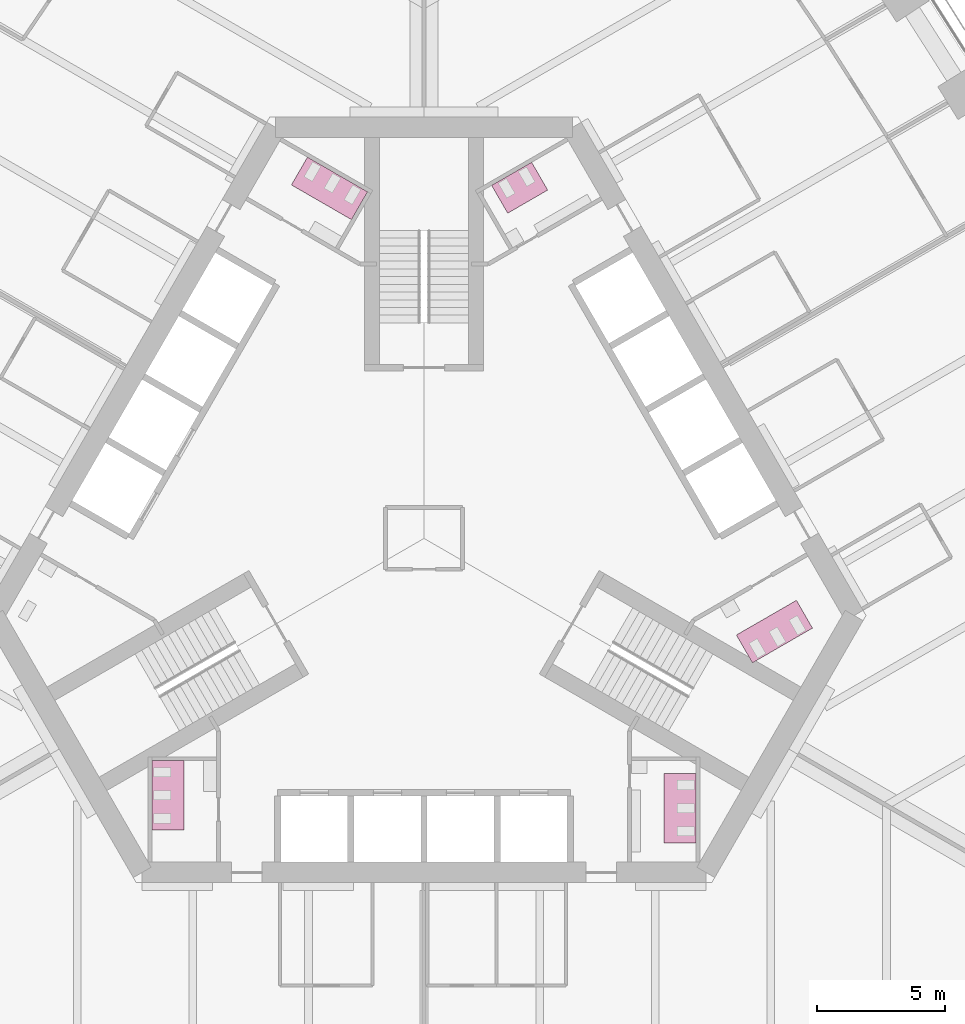
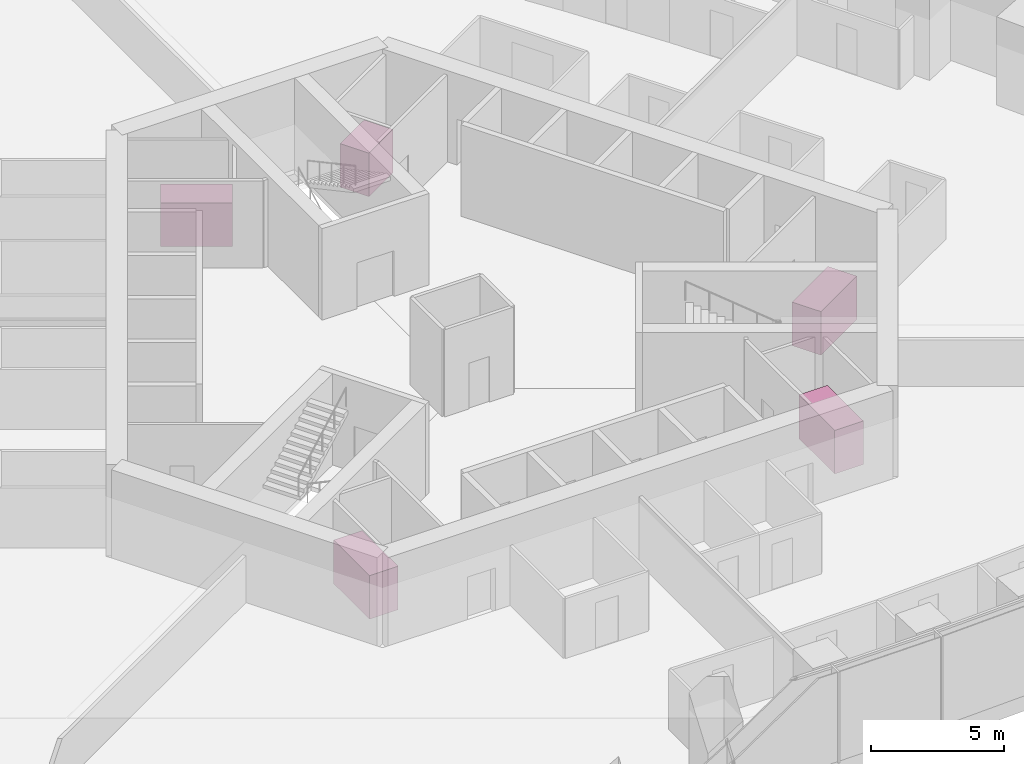
# One storey, part 18 of 18: 5 furniture elements.
"""IFC4 building model written with IfcOpenShell, lengths in metres."""

import ifcopenshell
import ifcopenshell.guid

model = None  # the IFC model being written
_history = None  # IfcOwnerHistory: only IFC2X3 demands one
_inside = {}  # id of a spatial element -> (the spatial element, [elements in it])
_under = {}  # id of a project, library or spatial element -> (it, [spatial elements below it])
_declared = {}  # id of a project -> (the project, [libraries it declares])
_typed = {}  # id of a type object -> (the type object, [elements of that type])
_made_of = {}  # id of a material, layer set ... -> (it, [elements and type objects made of it])


def new_model(schema):
    """Start an empty IFC model of exactly this schema.

    Asked for "IFC4X3", IfcOpenShell would pick the latest addendum, in which some entities
    have other attributes; the version numbers below select the first issue.
    IFC2X3 requires an IfcOwnerHistory on every rooted entity: one is made here for all.
    """
    global model, _history
    if schema == "IFC4X3":
        model = ifcopenshell.file(schema_version=(4, 3, 0, 0))
    else:
        model = ifcopenshell.file(schema=schema)
    _inside.clear()
    _under.clear()
    _declared.clear()
    _typed.clear()
    _made_of.clear()
    _history = None
    if model.schema == "IFC2X3":
        org = make("IfcOrganization", Name="unknown")
        user = make(
            "IfcPersonAndOrganization",
            ThePerson=make("IfcPerson", FamilyName="unknown"),
            TheOrganization=org,
        )
        app = make(
            "IfcApplication",
            ApplicationDeveloper=org,
            Version="unknown",
            ApplicationFullName="unknown",
            ApplicationIdentifier="unknown",
        )
        _history = make(
            "IfcOwnerHistory",
            OwningUser=user,
            OwningApplication=app,
            ChangeAction="ADDED",
            CreationDate=0,
        )
    return model


def make(cls, **values):
    """One entity of the class cls with the attributes given. An attribute that is None is left unset."""
    return model.create_entity(
        cls, **{name: value for name, value in values.items() if value is not None}
    )


def rooted(cls, **values):
    """An entity with a GlobalId (a new one), such as an element, a storey or a relation."""
    return make(cls, GlobalId=ifcopenshell.guid.new(), OwnerHistory=_history, **values)


def si_unit(unit_type, name, prefix=None):
    """IfcSIUnit, for example si_unit("LENGTHUNIT", "METRE", prefix="MILLI")."""
    return make("IfcSIUnit", UnitType=unit_type, Prefix=prefix, Name=name)


def assignment(units):
    """IfcUnitAssignment: the units of a project."""
    return None if units is None else make("IfcUnitAssignment", Units=units)


def point(xyz):
    """IfcCartesianPoint."""
    return None if xyz is None else make("IfcCartesianPoint", Coordinates=xyz)


def direction(xyz):
    """IfcDirection."""
    return None if xyz is None else make("IfcDirection", DirectionRatios=xyz)


def frame(location, z_axis=None, x_axis=None):
    """IfcAxis2Placement3D, a coordinate frame: its origin and axes. An axis left out is left unset."""
    return make(
        "IfcAxis2Placement3D",
        Location=point(location),
        Axis=direction(z_axis),
        RefDirection=direction(x_axis),
    )


def origin():
    """The frame at (0, 0, 0) with its axes left unset."""
    return frame((0.0, 0.0, 0.0))


def place(relative_to, where):
    """IfcLocalPlacement: puts the frame where relative to a parent placement (None: the world)."""
    return make(
        "IfcLocalPlacement", PlacementRelTo=relative_to, RelativePlacement=where
    )


def context(
    kind, dimensions, precision=None, world=None, true_north=None, identifier=None
):
    """IfcGeometricRepresentationContext, for example the 3D "Model" context."""
    return make(
        "IfcGeometricRepresentationContext",
        ContextIdentifier=identifier,
        ContextType=kind,
        CoordinateSpaceDimension=dimensions,
        Precision=precision,
        WorldCoordinateSystem=world,
        TrueNorth=true_north,
    )


def subcontext(parent, identifier, kind, view, scale=None):
    """IfcGeometricRepresentationSubContext, for example "Body" below "Model"."""
    return make(
        "IfcGeometricRepresentationSubContext",
        ContextIdentifier=identifier,
        ContextType=kind,
        ParentContext=parent,
        TargetScale=scale,
        TargetView=view,
    )


def project(units=None, contexts=None):
    """IfcProject with its units and contexts."""
    return rooted(
        "IfcProject",
        Name="project",
        RepresentationContexts=contexts,
        UnitsInContext=assignment(units),
    )


def spatial(cls, under=None, at=None, **own):
    """A site, building, storey or space (cls), placed at a placement, below another one or the project."""
    s = rooted(cls, ObjectPlacement=at, **own)
    if under is not None:
        _under.setdefault(under.id(), (under, []))[1].append(s)
    return s


def polyline(points):
    """IfcPolyline through the points."""
    return make("IfcPolyline", Points=[point(p) for p in points])


def outline(outer, holes=None, kind="AREA"):
    """IfcArbitraryClosedProfileDef: a profile drawn as a closed curve; with holes, ...WithVoids."""
    if holes is None:
        return make("IfcArbitraryClosedProfileDef", ProfileType=kind, OuterCurve=outer)
    return make(
        "IfcArbitraryProfileDefWithVoids",
        ProfileType=kind,
        OuterCurve=outer,
        InnerCurves=holes,
    )


def extrude(swept, where, along, depth):
    """IfcExtrudedAreaSolid: the profile swept, set in the frame where, extruded along a direction by depth."""
    return make(
        "IfcExtrudedAreaSolid",
        SweptArea=swept,
        Position=where,
        ExtrudedDirection=direction(along),
        Depth=depth,
    )


def shape(context_of_items, identifier, shape_type, items):
    """IfcShapeRepresentation: the items that make up one representation, for example the "Body"."""
    return make(
        "IfcShapeRepresentation",
        ContextOfItems=context_of_items,
        RepresentationIdentifier=identifier,
        RepresentationType=shape_type,
        Items=items,
    )


def material(Name=None, Category=None):
    """IfcMaterial."""
    return make("IfcMaterial", Name=Name, Category=Category)


def made_of(thing, what):
    """Note that an element or type object is made of a material, layer set ...; save() writes the relation."""
    if what is not None:
        _made_of.setdefault(what.id(), (what, []))[1].append(thing)
    return thing


def type_object(cls, material=None, **own):
    """A type object (cls), such as IfcWallType, which elements share."""
    return made_of(rooted(cls, **own), material)


def element(
    cls,
    number,
    at=None,
    inside=None,
    cuts=None,
    type_object=None,
    material=None,
    context=None,
    identifier="Body",
    shape_type=None,
    held_by="IfcProductDefinitionShape",
    body=None,
    shapes=None,
    **own,
):
    """One element of the class cls, such as IfcWall. Its Tag is "e" and its number.

    at: its placement. inside: the storey or other place that contains it. cuts: it is an
    opening in that element (IfcRelVoidsElement). A single representation is given by context,
    identifier, shape_type and body (its items); several are given by shapes. held_by: the class
    of the entity that holds the representations. save() writes the other relations.
    """
    e = rooted(cls, Tag="e%d" % number, ObjectPlacement=at, **own)
    if body is not None:
        shapes = [shape(context, identifier, shape_type, body)]
    if shapes is not None:
        e.Representation = make(held_by, Representations=shapes)
    if inside is not None:
        _inside.setdefault(inside.id(), (inside, []))[1].append(e)
    if cuts is not None:
        rooted(
            "IfcRelVoidsElement", RelatingBuildingElement=cuts, RelatedOpeningElement=e
        )
    if type_object is not None:
        _typed.setdefault(type_object.id(), (type_object, []))[1].append(e)
    return made_of(e, material)


def aggregate(whole, parts):
    """IfcRelAggregates: a whole, such as a stair, and the parts it consists of."""
    return rooted("IfcRelAggregates", RelatingObject=whole, RelatedObjects=parts)


def save(model, path):
    """Write the relations noted so far, then the file.

    IfcRelAggregates (storeys below a building ...), IfcRelContainedInSpatialStructure (elements
    in a storey), IfcRelDefinesByType, IfcRelAssociatesMaterial and IfcRelDeclares: one each for
    every whole, place, type object, material and project.
    """
    for whole, parts in _under.values():
        aggregate(whole, parts)
    for where, things in _inside.values():
        rooted(
            "IfcRelContainedInSpatialStructure",
            RelatedElements=things,
            RelatingStructure=where,
        )
    for kind, things in _typed.values():
        rooted("IfcRelDefinesByType", RelatedObjects=things, RelatingType=kind)
    for what, things in _made_of.values():
        rooted("IfcRelAssociatesMaterial", RelatedObjects=things, RelatingMaterial=what)
    for by, libraries in _declared.values():
        rooted("IfcRelDeclares", RelatingContext=by, RelatedDefinitions=libraries)
    model.write(path)


model = new_model("IFC4")

# Units and contexts
model_context = context("Model", 3, precision=1e-05, world=origin(), true_north=direction((0.0, 1.0)))
body_context = subcontext(model_context, "Body", "Model", "MODEL_VIEW")
ifc_project = project(units=[si_unit("LENGTHUNIT", "METRE"), si_unit("AREAUNIT", "SQUARE_METRE"), si_unit("VOLUMEUNIT", "CUBIC_METRE"), si_unit("PLANEANGLEUNIT", "RADIAN"), si_unit("MASSUNIT", "GRAM", prefix="KILO")], contexts=[model_context])

# Site, building, storey
site_placement = place(None, origin())
site = spatial("IfcSite", under=ifc_project, at=site_placement, CompositionType="ELEMENT")
building_placement = place(site_placement, origin())
building = spatial("IfcBuilding", under=site, at=building_placement, Name="Trefoil Bronze Tower", CompositionType="ELEMENT")
storey_placement = place(building_placement, frame((0.0, 0.0, 37.5)))
storey = spatial("IfcBuildingStorey", under=building, at=storey_placement, Name="L08", CompositionType="ELEMENT", Elevation=37.5)

# Furniture
ifc_material_1 = material(Name="Compact laminate cubicles", Category="plastic")
furniture_type_1 = type_object("IfcFurnitureType", Name="WC cubicle range 2 cubicles", AssemblyPlace="FACTORY", PredefinedType="USERDEFINED", material=ifc_material_1)
furniture_1_placement = place(storey_placement, origin())
element("IfcFurniture", 1, at=furniture_1_placement, inside=storey, type_object=furniture_type_1, Name="WC cubicle range WC (men) L08", ObjectType="WC cubicle range", PredefinedType="USERDEFINED", context=body_context, shape_type="SweptSolid", body=[
    extrude(outline(polyline([(3.256591796875, 12.659423828125), (2.631591796875, 13.741943359375), (4.1904296875, 14.641845703125), (4.8154296875, 13.559326171875), (3.256591796875, 12.659423828125)])), origin(), (0.0, 0.0, 1.0), 2.0),
])
ifc_material_2 = material(Name="Compact laminate cubicles", Category="plastic")
furniture_type_2 = type_object("IfcFurnitureType", Name="WC cubicle range 3 cubicles", AssemblyPlace="FACTORY", PredefinedType="USERDEFINED", material=ifc_material_2)
furniture_2_placement = place(storey_placement, origin())
element("IfcFurniture", 2, at=furniture_2_placement, inside=storey, type_object=furniture_type_2, Name="WC cubicle range WC (men) L08", ObjectType="WC cubicle range", PredefinedType="USERDEFINED", context=body_context, shape_type="SweptSolid", body=[
    extrude(outline(polyline([(9.3349609375, -9.14990234375), (10.5849609375, -9.14990234375), (10.5849609375, -11.85009765625), (9.3349609375, -11.85009765625), (9.3349609375, -9.14990234375)])), origin(), (0.0, 0.0, 1.0), 2.0),
])
furniture_3_placement = place(storey_placement, origin())
element("IfcFurniture", 3, at=furniture_3_placement, inside=storey, type_object=furniture_type_2, Name="WC cubicle range WC (women) L08", ObjectType="WC cubicle range", PredefinedType="USERDEFINED", context=body_context, shape_type="SweptSolid", body=[
    extrude(outline(polyline([(12.15869140625, -3.75927734375), (12.78369140625, -4.841796875), (15.121826171875, -3.491943359375), (14.496826171875, -2.409423828125), (12.15869140625, -3.75927734375)])), origin(), (0.0, 0.0, 1.0), 2.0),
])
furniture_4_placement = place(storey_placement, origin())
element("IfcFurniture", 4, at=furniture_4_placement, inside=storey, type_object=furniture_type_2, Name="WC cubicle range WC (women) L08", ObjectType="WC cubicle range", PredefinedType="USERDEFINED", context=body_context, shape_type="SweptSolid", body=[
    extrude(outline(polyline([(-2.82373046875, 12.409423828125), (-2.19873046875, 13.491943359375), (-4.536865234375, 14.841796875), (-5.161865234375, 13.75927734375), (-2.82373046875, 12.409423828125)])), origin(), (0.0, 0.0, 1.0), 2.0),
])
furniture_5_placement = place(storey_placement, origin())
element("IfcFurniture", 5, at=furniture_5_placement, inside=storey, type_object=furniture_type_2, Name="WC cubicle range WC (women) L08", ObjectType="WC cubicle range", PredefinedType="USERDEFINED", context=body_context, shape_type="SweptSolid", body=[
    extrude(outline(polyline([(-9.3349609375, -8.64990234375), (-10.5849609375, -8.64990234375), (-10.5849609375, -11.35009765625), (-9.3349609375, -11.35009765625), (-9.3349609375, -8.64990234375)])), origin(), (0.0, 0.0, 1.0), 2.0),
])

save(model, "model.ifc")
